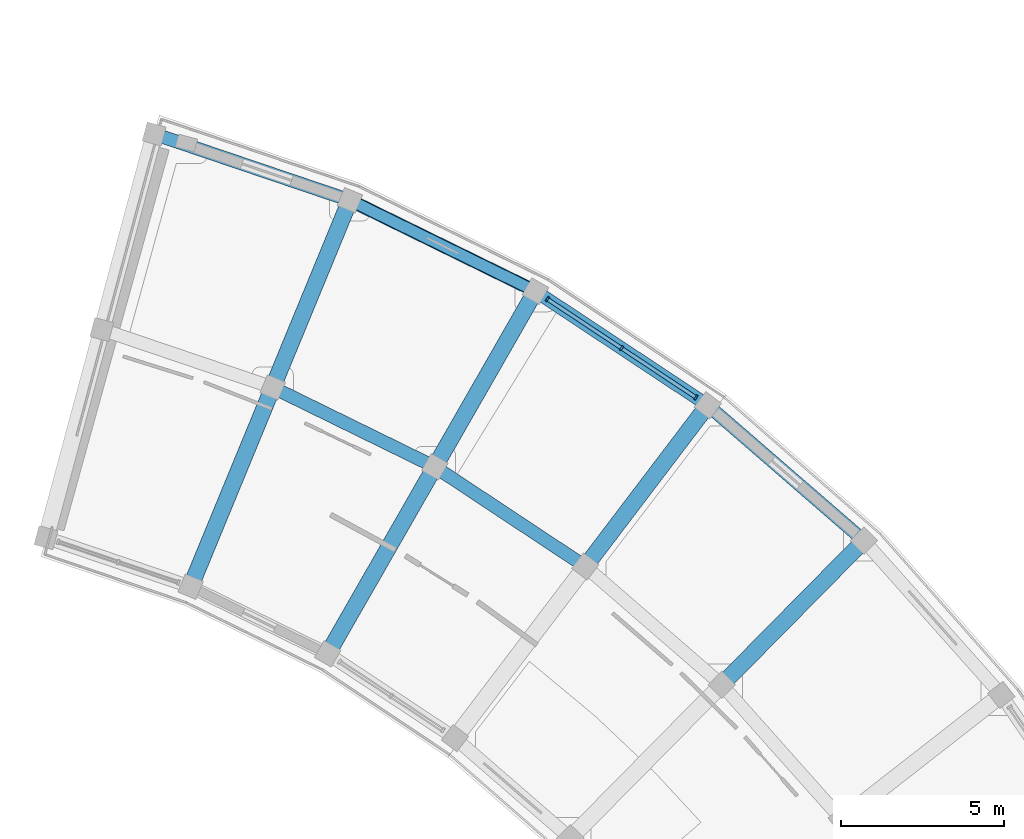
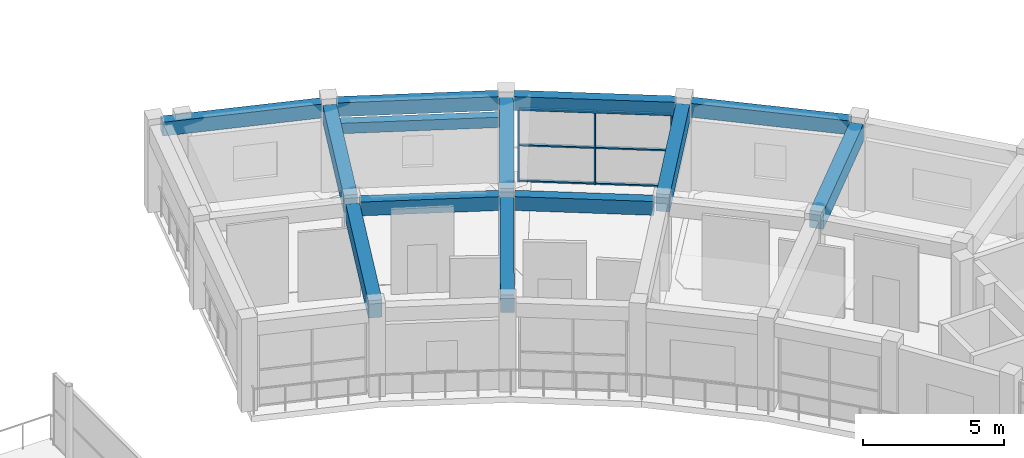
# One storey, part 27 of 53: 13 beams, 9 members, 1 element without a shape of its own.
"""IFC4 building model written with IfcOpenShell, lengths in metres."""

from ifc_helpers import new_model, si_unit, direction, frame, origin, origin_2d, place, context, subcontext, project, spatial, rectangle, extrude, material, material_profile, profile_set, type_object, element, aggregate, save


model = new_model("IFC4")

# Units and contexts
model_context = context("Model", 3, precision=1e-05, world=origin(), true_north=direction((0.0, 1.0)))
body_context = subcontext(model_context, "Body", "Model", "MODEL_VIEW")
ifc_project = project(units=[si_unit("LENGTHUNIT", "METRE"), si_unit("AREAUNIT", "SQUARE_METRE"), si_unit("VOLUMEUNIT", "CUBIC_METRE"), si_unit("PLANEANGLEUNIT", "RADIAN"), si_unit("MASSUNIT", "GRAM", prefix="KILO")], contexts=[model_context])

# Site, building, storey
site_placement = place(None, origin())
site = spatial("IfcSite", under=ifc_project, at=site_placement, CompositionType="ELEMENT")
building_placement = place(site_placement, origin())
building = spatial("IfcBuilding", under=site, at=building_placement, Name="Saryqyr Civic Hall", CompositionType="ELEMENT")
storey_placement = place(building_placement, frame((0.0, 0.0, 21.300048828125)))
storey = spatial("IfcBuildingStorey", under=building, at=storey_placement, Name="L05", CompositionType="ELEMENT", Elevation=21.300048828125)

# Curtain wall, members
ifc_material_1 = material(Name="Anodised aluminium and triple low-E glass", Category="aluminium")
curtain_wall_type = type_object("IfcCurtainWallType", Name="ENV-CW-STD-47", PredefinedType="NOTDEFINED", material=ifc_material_1)
curtain_wall_placement = place(storey_placement, origin())
curtain_wall = element("IfcCurtainWall", 1, at=curtain_wall_placement, inside=storey, type_object=curtain_wall_type, Name="Curtain wall V6-CWO-L05-07", PredefinedType="NOTDEFINED")
ifc_material_2 = material(Name="Anodised aluminium", Category="aluminium")
ifc_material_profile_1 = material_profile(ifc_material_2, rectangle(XDim=0.06005859375, YDim=0.159912109375, at=origin_2d()), Name="ALU MULLION 60x160")
ifc_profile_set_1 = profile_set([ifc_material_profile_1], Name="Anodised aluminium")
member_type_1 = type_object("IfcMemberType", Name="ENV-CW-MUL-180", PredefinedType="MULLION", material=ifc_profile_set_1)
member_1_placement = place(storey_placement, frame((81.72412109375, 126.274658203125, 0.0), z_axis=(0.0, 0.0, 1.0), x_axis=(0.833756980548, -0.552131594266, 0.0)))
member_1 = element("IfcMember", 2, at=member_1_placement, type_object=member_type_1, Name="CW-47 mullion 1", PredefinedType="MULLION", context=body_context, shape_type="SweptSolid", body=[
    extrude(rectangle(XDim=0.06005859375, YDim=0.159912109375, at=origin_2d()), origin(), (0.0, 0.0, 1.0), 3.1650390625),
])
member_2_placement = place(storey_placement, frame((83.997314453125, 124.769287109375, 0.0), z_axis=(0.0, 0.0, 1.0), x_axis=(0.833756980548, -0.552131594266, 0.0)))
member_2 = element("IfcMember", 3, at=member_2_placement, type_object=member_type_1, Name="CW-47 mullion 2", PredefinedType="MULLION", context=body_context, shape_type="SweptSolid", body=[
    extrude(rectangle(XDim=0.06005859375, YDim=0.159912109375, at=origin_2d()), origin(), (0.0, 0.0, 1.0), 3.1650390625),
])
member_3_placement = place(storey_placement, frame((86.2705078125, 123.263916015625, 0.0), z_axis=(0.0, 0.0, 1.0), x_axis=(0.833756980548, -0.552131594266, 0.0)))
member_3 = element("IfcMember", 4, at=member_3_placement, type_object=member_type_1, Name="CW-47 mullion 3", PredefinedType="MULLION", context=body_context, shape_type="SweptSolid", body=[
    extrude(rectangle(XDim=0.06005859375, YDim=0.159912109375, at=origin_2d()), origin(), (0.0, 0.0, 1.0), 3.1650390625),
])
ifc_material_profile_2 = material_profile(ifc_material_2, rectangle(XDim=0.1201171875, YDim=0.06005859375, at=origin_2d()), Name="ALU TRANSOM 120x60")
ifc_profile_set_2 = profile_set([ifc_material_profile_2], Name="Anodised aluminium")
member_type_2 = type_object("IfcMemberType", Name="ENV-CW-TRN-150", PredefinedType="USERDEFINED", material=ifc_profile_set_2)
member_4_placement = place(storey_placement, frame((81.7490234375, 126.258056640625, 0.030029296875), z_axis=(0.833792760269, -0.552077560604, 0.0), x_axis=(0.552077560604, 0.833792760269, 0.0)))
member_4 = element("IfcMember", 5, at=member_4_placement, type_object=member_type_2, Name="CW-47 transom 1.1", ObjectType="TRANSOM", PredefinedType="USERDEFINED", context=body_context, shape_type="SweptSolid", body=[
    extrude(rectangle(XDim=0.1201171875, YDim=0.06005859375, at=origin_2d()), origin(), (0.0, 0.0, 1.0), 2.66650390625),
])
member_5_placement = place(storey_placement, frame((81.7490234375, 126.258056640625, 1.5830078125), z_axis=(0.833792760269, -0.552077560604, 0.0), x_axis=(0.552077560604, 0.833792760269, 0.0)))
member_5 = element("IfcMember", 6, at=member_5_placement, type_object=member_type_2, Name="CW-47 transom 1.2", ObjectType="TRANSOM", PredefinedType="USERDEFINED", context=body_context, shape_type="SweptSolid", body=[
    extrude(rectangle(XDim=0.1201171875, YDim=0.06005859375, at=origin_2d()), origin(), (0.0, 0.0, 1.0), 2.66650390625),
])
member_6_placement = place(storey_placement, frame((81.7490234375, 126.258056640625, 3.135009765625), z_axis=(0.833792760269, -0.552077560604, 0.0), x_axis=(0.552077560604, 0.833792760269, 0.0)))
member_6 = element("IfcMember", 7, at=member_6_placement, type_object=member_type_2, Name="CW-47 transom 1.3", ObjectType="TRANSOM", PredefinedType="USERDEFINED", context=body_context, shape_type="SweptSolid", body=[
    extrude(rectangle(XDim=0.1201171875, YDim=0.06005859375, at=origin_2d()), origin(), (0.0, 0.0, 1.0), 2.66650390625),
])
member_7_placement = place(storey_placement, frame((84.0224609375, 124.752685546875, 0.030029296875), z_axis=(0.833764852013, -0.552119707625, 0.0), x_axis=(0.552119707625, 0.833764852013, 0.0)))
member_7 = element("IfcMember", 8, at=member_7_placement, type_object=member_type_2, Name="CW-47 transom 2.1", ObjectType="TRANSOM", PredefinedType="USERDEFINED", context=body_context, shape_type="SweptSolid", body=[
    extrude(rectangle(XDim=0.1201171875, YDim=0.06005859375, at=origin_2d()), origin(), (0.0, 0.0, 1.0), 2.66650390625),
])
member_8_placement = place(storey_placement, frame((84.0224609375, 124.752685546875, 1.5830078125), z_axis=(0.833764852013, -0.552119707625, 0.0), x_axis=(0.552119707625, 0.833764852013, 0.0)))
member_8 = element("IfcMember", 9, at=member_8_placement, type_object=member_type_2, Name="CW-47 transom 2.2", ObjectType="TRANSOM", PredefinedType="USERDEFINED", context=body_context, shape_type="SweptSolid", body=[
    extrude(rectangle(XDim=0.1201171875, YDim=0.06005859375, at=origin_2d()), origin(), (0.0, 0.0, 1.0), 2.66650390625),
])
member_9_placement = place(storey_placement, frame((84.0224609375, 124.752685546875, 3.135009765625), z_axis=(0.833764852013, -0.552119707625, 0.0), x_axis=(0.552119707625, 0.833764852013, 0.0)))
member_9 = element("IfcMember", 10, at=member_9_placement, type_object=member_type_2, Name="CW-47 transom 2.3", ObjectType="TRANSOM", PredefinedType="USERDEFINED", context=body_context, shape_type="SweptSolid", body=[
    extrude(rectangle(XDim=0.1201171875, YDim=0.06005859375, at=origin_2d()), origin(), (0.0, 0.0, 1.0), 2.66650390625),
])
aggregate(curtain_wall, [member_1, member_2, member_3, member_4, member_5, member_6, member_7, member_8, member_9])

# Beams
ifc_material_3 = material(Name="Concrete C35/45", Category="concrete")
ifc_material_profile_3 = material_profile(ifc_material_3, rectangle(XDim=0.39990234375, YDim=0.60009765625, at=origin_2d()), Name="RC 400x600")
ifc_profile_set_3 = profile_set([ifc_material_profile_3], Name="Concrete C35/45")
beam_type_1 = type_object("IfcBeamType", Name="STR-BM-RC400x600", PredefinedType="BEAM", material=ifc_profile_set_3)
for number, where, z_axis, x_axis, name in (
    (11, (82.656494140625, 118.236572265625, 3.489990234375), (-0.833759218515, 0.552128214767, 0.0), (-0.552128214767, -0.833759218515, 0.0), "Beam V6-CBM-MID07-L05"),
    (12, (78.030029296875, 121.257568359375, 3.489990234375), (-0.897969369862, 0.440057962989, 0.0), (-0.440057962989, -0.897969369862, 0.0), "Beam V6-CBM-MID08-L05"),
):
    element("IfcBeam", number, at=place(storey_placement, frame(where, z_axis=z_axis, x_axis=x_axis)), inside=storey, type_object=beam_type_1, Name=name, PredefinedType="BEAM", context=body_context, shape_type="SweptSolid", body=[
        extrude(rectangle(XDim=0.39990234375, YDim=0.60009765625, at=origin_2d()), origin(), (0.0, 0.0, 1.0), 4.9775390625),
    ])
ifc_material_profile_4 = material_profile(ifc_material_3, rectangle(XDim=0.39990234375, YDim=0.60009765625, at=origin_2d()), Name="RC 400x600")
ifc_profile_set_4 = profile_set([ifc_material_profile_4], Name="Concrete C35/45")
beam_type_2 = type_object("IfcBeamType", Name="STR-BM-RC400x600-EXT", PredefinedType="BEAM", material=ifc_profile_set_4)
beam_1_placement = place(storey_placement, frame((91.2099609375, 119.057373046875, 3.489990234375), z_axis=(-0.755654230233, 0.654970750745, 0.0), x_axis=(-0.654970750745, -0.755654230233, 0.0)))
element("IfcBeam", 13, at=beam_1_placement, inside=storey, type_object=beam_type_2, Name="Beam V6-CBM-OUT06-L05", PredefinedType="BEAM", context=body_context, shape_type="SweptSolid", body=[
    extrude(rectangle(XDim=0.39990234375, YDim=0.60009765625, at=origin_2d()), origin(), (0.0, 0.0, 1.0), 5.7783203125),
])
for number, where, z_axis, x_axis, name in (
    (14, (86.40625, 123.174072265625, 3.489990234375), (-0.833762314581, 0.552123539422, 0.0), (-0.552123539422, -0.833762314581, 0.0), "Beam V6-CBM-OUT07-L05"),
    (15, (81.1123046875, 126.63720703125, 3.489990234375), (-0.897964591433, 0.440067713577, 0.0), (-0.440067713577, -0.897964591433, 0.0), "Beam V6-CBM-OUT08-L05"),
    (16, (75.416015625, 129.389404296875, 3.489990234375), (-0.947202743772, 0.320635247892, 0.0), (-0.320635247892, -0.947202743772, 0.0), "Beam V6-CBM-OUT09-L05"),
):
    element("IfcBeam", number, at=place(storey_placement, frame(where, z_axis=z_axis, x_axis=x_axis)), inside=storey, type_object=beam_type_2, Name=name, PredefinedType="BEAM", context=body_context, shape_type="SweptSolid", body=[
        extrude(rectangle(XDim=0.39990234375, YDim=0.60009765625, at=origin_2d()), origin(), (0.0, 0.0, 1.0), 5.778564453125),
    ])
ifc_material_4 = material(Name="Concrete C40/50", Category="concrete")
ifc_material_profile_5 = material_profile(ifc_material_4, rectangle(XDim=0.5, YDim=0.75, at=origin_2d()), Name="RC 500x750")
ifc_profile_set_5 = profile_set([ifc_material_profile_5], Name="Concrete C40/50")
beam_type_3 = type_object("IfcBeamType", Name="STR-BM-RC500x750", PredefinedType="BEAM", material=ifc_profile_set_5)
for number, where, z_axis, x_axis, name in (
    (17, (87.256103515625, 114.659912109375, 3.4150390625), (0.702381187414, 0.711801002785, 0.0), (-0.711801002785, 0.702381187414, 0.0), "Beam V6-RBM-B06-L05"),
    (18, (83.052001953125, 118.3037109375, 3.4150390625), (0.604814812056, 0.796366148903, 0.0), (-0.796366148903, 0.604814812056, 0.0), "Beam V6-RBM-B07-L05"),
):
    element("IfcBeam", number, at=place(storey_placement, frame(where, z_axis=z_axis, x_axis=x_axis)), inside=storey, type_object=beam_type_3, Name=name, PredefinedType="BEAM", context=body_context, shape_type="SweptSolid", body=[
        extrude(rectangle(XDim=0.5, YDim=0.75, at=origin_2d()), origin(), (0.0, 0.0, 1.0), 5.650146484375),
    ])
beam_2_placement = place(storey_placement, frame((75.132568359375, 115.648681640625, 3.4150390625), z_axis=(0.497164210685, 0.867656468664, 0.0), x_axis=(-0.867656468664, 0.497164210685, 0.0)))
element("IfcBeam", 19, at=beam_2_placement, inside=storey, type_object=beam_type_3, Name="Beam V6-RBM-A08-L05", PredefinedType="BEAM", context=body_context, shape_type="SweptSolid", body=[
    extrude(rectangle(XDim=0.5, YDim=0.75, at=origin_2d()), origin(), (0.0, 0.0, 1.0), 6.050048828125),
])
beam_3_placement = place(storey_placement, frame((78.413818359375, 121.375244140625, 3.4150390625), z_axis=(0.497106570518, 0.867689493741, 0.0), x_axis=(-0.867689493741, 0.497106570518, 0.0)))
element("IfcBeam", 20, at=beam_3_placement, inside=storey, type_object=beam_type_3, Name="Beam V6-RBM-B08-L05", PredefinedType="BEAM", context=body_context, shape_type="SweptSolid", body=[
    extrude(rectangle(XDim=0.5, YDim=0.75, at=origin_2d()), origin(), (0.0, 0.0, 1.0), 5.64990234375),
])
beam_4_placement = place(storey_placement, frame((70.902587890625, 117.7216796875, 3.4150390625), z_axis=(0.381145552092, 0.924515044832, 0.0), x_axis=(-0.924515044832, 0.381145552092, 0.0)))
element("IfcBeam", 21, at=beam_4_placement, inside=storey, type_object=beam_type_3, Name="Beam V6-RBM-A09-L05", PredefinedType="BEAM", context=body_context, shape_type="SweptSolid", body=[
    extrude(rectangle(XDim=0.5, YDim=0.75, at=origin_2d()), origin(), (0.0, 0.0, 1.0), 6.050048828125),
])
beam_5_placement = place(storey_placement, frame((73.418212890625, 123.8232421875, 3.4150390625), z_axis=(0.381114889866, 0.924527685212, 0.0), x_axis=(-0.924527685212, 0.381114889866, 0.0)))
element("IfcBeam", 22, at=beam_5_placement, inside=storey, type_object=beam_type_3, Name="Beam V6-RBM-B09-L05", PredefinedType="BEAM", context=body_context, shape_type="SweptSolid", body=[
    extrude(rectangle(XDim=0.5, YDim=0.75, at=origin_2d()), origin(), (0.0, 0.0, 1.0), 5.650146484375),
])
ifc_material_5 = material(Name="Precast concrete C40/50", Category="concrete")
ifc_material_profile_6 = material_profile(ifc_material_5, rectangle(XDim=0.35009765625, YDim=0.449951171875, at=origin_2d()), Name="RC 350x450")
ifc_profile_set_6 = profile_set([ifc_material_profile_6], Name="Precast concrete C40/50")
beam_type_4 = type_object("IfcBeamType", Name="STR-LIN-RC350x450", PredefinedType="LINTEL", material=ifc_profile_set_6)
beam_6_placement = place(storey_placement, frame((81.1123046875, 126.63720703125, 2.655029296875), z_axis=(-0.897964591433, 0.440067713577, 0.0), x_axis=(-0.440067713577, -0.897964591433, 0.0)))
element("IfcBeam", 23, at=beam_6_placement, inside=storey, type_object=beam_type_4, Name="Beam V6-LIN-08-L05", PredefinedType="LINTEL", context=body_context, shape_type="SweptSolid", body=[
    extrude(rectangle(XDim=0.35009765625, YDim=0.449951171875, at=origin_2d()), origin(), (0.0, 0.0, 1.0), 5.778564453125),
])

save(model, "model.ifc")
